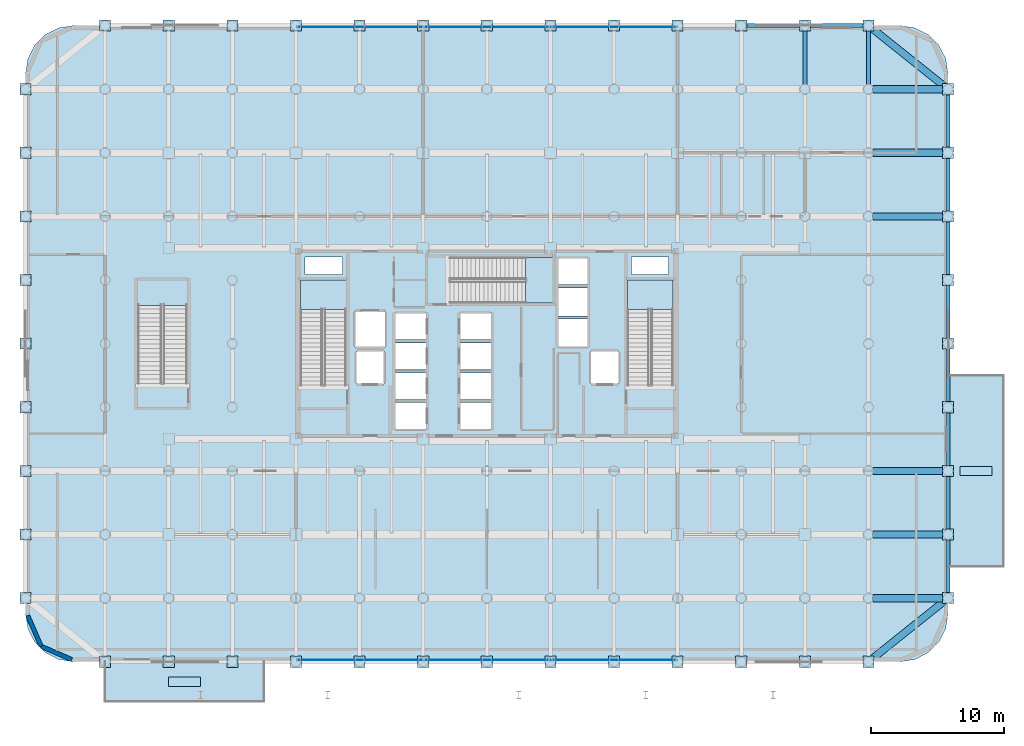
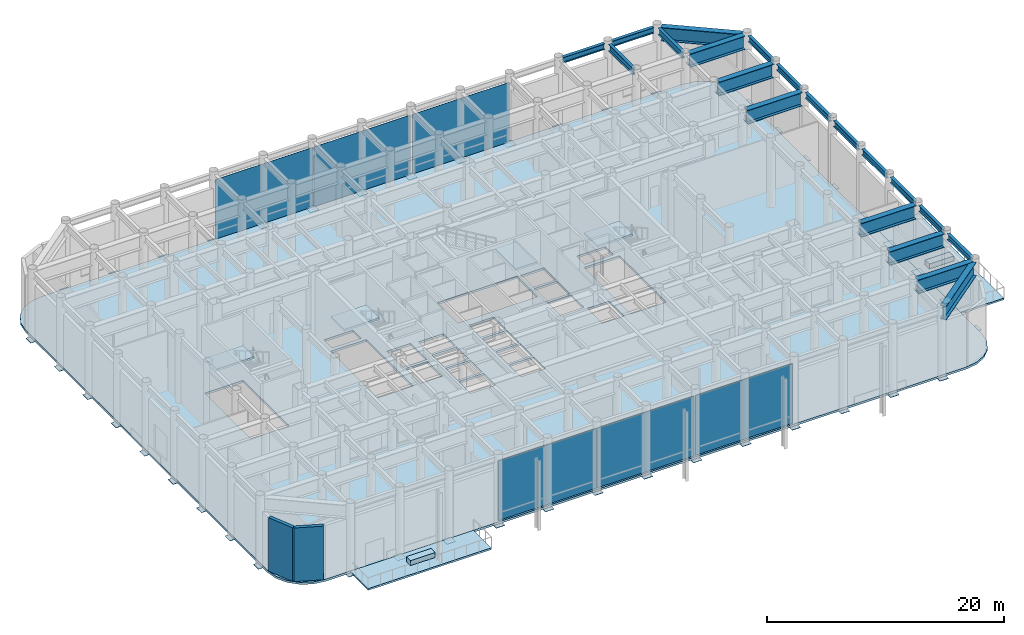
# One storey, part 13 of 23: 52 plates, 20 beams, 7 slabs, 2 walls, 10 elements without a shape of their own.
"""IFC4 building model written with IfcOpenShell, lengths in metres."""

from ifc_helpers import new_model, si_unit, direction, frame, frame_2d, origin, origin_2d, place, context, subcontext, project, spatial, polyline, rectangle, i_section, outline, extrude, material, layer, layer_set, material_profile, profile_set, type_object, element, aggregate, save


model = new_model("IFC4")

# Units and contexts
model_context = context("Model", 3, precision=1e-05, world=origin(), true_north=direction((0.0, 1.0)))
body_context = subcontext(model_context, "Body", "Model", "MODEL_VIEW")
ifc_project = project(units=[si_unit("LENGTHUNIT", "METRE"), si_unit("AREAUNIT", "SQUARE_METRE"), si_unit("VOLUMEUNIT", "CUBIC_METRE"), si_unit("PLANEANGLEUNIT", "RADIAN"), si_unit("MASSUNIT", "GRAM", prefix="KILO")], contexts=[model_context])

# Site, building, storey
site_placement = place(None, origin())
site = spatial("IfcSite", under=ifc_project, at=site_placement, CompositionType="ELEMENT")
building_placement = place(site_placement, origin())
building = spatial("IfcBuilding", under=site, at=building_placement, Name="Kallvorn Hotel Tower", CompositionType="ELEMENT")
storey_placement = place(building_placement, frame((0.0, 0.0, 12.0)))
storey = spatial("IfcBuildingStorey", under=building, at=storey_placement, Name="L02", CompositionType="ELEMENT", Elevation=12.0)

# Beams
ifc_material_1 = material(Name="Structural steel S355JR", Category="steel")
ifc_material_profile_1 = material_profile(ifc_material_1, i_section(OverallWidth=0.300048828125, OverallDepth=0.60009765625, WebThickness=0.015380859375, FlangeThickness=0.030029296875, at=origin_2d()), Name="HE 600 B")
ifc_profile_set_1 = profile_set([ifc_material_profile_1], Name="Structural steel S355JR")
beam_type_1 = type_object("IfcBeamType", Name="BM_HE600B", PredefinedType="SPANDREL", material=ifc_profile_set_1)
for number, where, z_axis, x_axis, name in (
    (1, (19.571044921875, 24.0, 6.6201171875), (1.0, 0.0, 0.0), (0.0, 1.0, 0.0), "L03 Perimeter Spandrel 190"),
    (2, (24.37109375, 24.0, 6.6201171875), (1.0, 0.0, 0.0), (0.0, 1.0, 0.0), "L03 Perimeter Spandrel 191"),
):
    element("IfcBeam", number, at=place(storey_placement, frame(where, z_axis=z_axis, x_axis=x_axis)), inside=storey, type_object=beam_type_1, Name=name, PredefinedType="SPANDREL", context=body_context, shape_type="SweptSolid", body=[
        extrude(i_section(OverallWidth=0.300048828125, OverallDepth=0.60009765625, WebThickness=0.015380859375, FlangeThickness=0.030029296875, at=origin_2d()), origin(), (0.0, 0.0, 1.0), 4.057861328125),
    ])
for number, where, z_axis, x_axis, name in (
    (3, (34.800048828125, -18.8291015625, 6.6201171875), (0.0, 1.0, 0.0), (-1.0, 0.0, 0.0), "L03 Perimeter Spandrel 200"),
    (4, (34.800048828125, -14.029052734375, 6.6201171875), (0.0, 1.0, 0.0), (-1.0, 0.0, 0.0), "L03 Perimeter Spandrel 201"),
    (5, (34.800048828125, -9.22900390625, 6.6201171875), (0.0, 1.0, 0.0), (-1.0, 0.0, 0.0), "L03 Perimeter Spandrel 202"),
):
    element("IfcBeam", number, at=place(storey_placement, frame(where, z_axis=z_axis, x_axis=x_axis)), inside=storey, type_object=beam_type_1, Name=name, PredefinedType="SPANDREL", context=body_context, shape_type="SweptSolid", body=[
        extrude(i_section(OverallWidth=0.300048828125, OverallDepth=0.60009765625, WebThickness=0.015380859375, FlangeThickness=0.030029296875, at=origin_2d()), origin(), (0.0, 0.0, 1.0), 4.05810546875),
    ])
for number, where, z_axis, x_axis, name in (
    (6, (34.800048828125, -4.428955078125, 6.6201171875), (0.0, 1.0, 0.0), (-1.0, 0.0, 0.0), "L03 Perimeter Spandrel 203"),
    (7, (34.800048828125, 0.37109375, 6.6201171875), (0.0, 1.0, 0.0), (-1.0, 0.0, 0.0), "L03 Perimeter Spandrel 204"),
):
    element("IfcBeam", number, at=place(storey_placement, frame(where, z_axis=z_axis, x_axis=x_axis)), inside=storey, type_object=beam_type_1, Name=name, PredefinedType="SPANDREL", context=body_context, shape_type="SweptSolid", body=[
        extrude(i_section(OverallWidth=0.300048828125, OverallDepth=0.60009765625, WebThickness=0.015380859375, FlangeThickness=0.030029296875, at=origin_2d()), origin(), (0.0, 0.0, 1.0), 4.057861328125),
    ])
for number, where, z_axis, x_axis, name in (
    (8, (34.800048828125, 5.1708984375, 6.6201171875), (0.0, 1.0, 0.0), (-1.0, 0.0, 0.0), "L03 Perimeter Spandrel 205"),
    (9, (34.800048828125, 9.970947265625, 6.6201171875), (0.0, 1.0, 0.0), (-1.0, 0.0, 0.0), "L03 Perimeter Spandrel 206"),
    (10, (34.800048828125, 14.77099609375, 6.6201171875), (0.0, 1.0, 0.0), (-1.0, 0.0, 0.0), "L03 Perimeter Spandrel 207"),
):
    element("IfcBeam", number, at=place(storey_placement, frame(where, z_axis=z_axis, x_axis=x_axis)), inside=storey, type_object=beam_type_1, Name=name, PredefinedType="SPANDREL", context=body_context, shape_type="SweptSolid", body=[
        extrude(i_section(OverallWidth=0.300048828125, OverallDepth=0.60009765625, WebThickness=0.015380859375, FlangeThickness=0.030029296875, at=origin_2d()), origin(), (0.0, 0.0, 1.0), 4.05810546875),
    ])
ifc_material_2 = material(Name="Structural steel S355JR", Category="steel")
ifc_material_profile_2 = material_profile(ifc_material_2, i_section(OverallWidth=0.300048828125, OverallDepth=0.699951171875, WebThickness=0.01708984375, FlangeThickness=0.031982421875, at=origin_2d()), Name="HE 700 B")
ifc_profile_set_2 = profile_set([ifc_material_profile_2], Name="Structural steel S355JR")
beam_type_2 = type_object("IfcBeamType", Name="BM_HE700B", PredefinedType="BEAM", material=ifc_profile_set_2)
for number, where, z_axis, x_axis, name in (
    (11, (24.0, 19.555908203125, 6.570068359375), (0.0, 1.0, 0.0), (-1.0, 0.0, 0.0), "L03 Primary Y-Girder 157"),
    (12, (28.800048828125, 19.555908203125, 6.570068359375), (0.0, 1.0, 0.0), (-1.0, 0.0, 0.0), "L03 Primary Y-Girder 167"),
):
    element("IfcBeam", number, at=place(storey_placement, frame(where, z_axis=z_axis, x_axis=x_axis)), inside=storey, type_object=beam_type_2, Name=name, PredefinedType="BEAM", context=body_context, shape_type="SweptSolid", body=[
        extrude(i_section(OverallWidth=0.300048828125, OverallDepth=0.699951171875, WebThickness=0.01708984375, FlangeThickness=0.031982421875, at=origin_2d()), origin(), (0.0, 0.0, 1.0), 4.088134765625),
    ])
ifc_material_3 = material(Name="Structural steel S355JR", Category="steel")
ifc_material_profile_3 = material_profile(ifc_material_3, i_section(OverallWidth=0.550048828125, OverallDepth=1.39990234375, WebThickness=0.02490234375, FlangeThickness=0.044921875, at=origin_2d()), Name="PG 1400x550x25x45")
ifc_profile_set_3 = profile_set([ifc_material_profile_3], Name="Structural steel S355JR")
beam_type_3 = type_object("IfcBeamType", Name="BM_PG_1400", PredefinedType="BEAM", material=ifc_profile_set_3)
for number, where, z_axis, x_axis, name in (
    (13, (29.156005859375, -19.199951171875, 6.219970703125), (1.0, 0.0, 0.0), (0.0, 1.0, 0.0), "L03 Primary X-Girder 15"),
    (14, (29.156005859375, -14.39990234375, 6.219970703125), (1.0, 0.0, 0.0), (0.0, 1.0, 0.0), "L03 Primary X-Girder 23"),
    (15, (29.156005859375, -9.60009765625, 6.219970703125), (1.0, 0.0, 0.0), (0.0, 1.0, 0.0), "L03 Primary X-Girder 33"),
    (16, (29.156005859375, 9.60009765625, 6.219970703125), (1.0, 0.0, 0.0), (0.0, 1.0, 0.0), "L03 Primary X-Girder 52"),
    (17, (29.156005859375, 14.39990234375, 6.219970703125), (1.0, 0.0, 0.0), (0.0, 1.0, 0.0), "L03 Primary X-Girder 63"),
    (18, (29.156005859375, 19.199951171875, 6.219970703125), (1.0, 0.0, 0.0), (0.0, 1.0, 0.0), "L03 Primary X-Girder 77"),
):
    element("IfcBeam", number, at=place(storey_placement, frame(where, z_axis=z_axis, x_axis=x_axis)), inside=storey, type_object=beam_type_3, Name=name, PredefinedType="BEAM", context=body_context, shape_type="SweptSolid", body=[
        extrude(i_section(OverallWidth=0.550048828125, OverallDepth=1.39990234375, WebThickness=0.02490234375, FlangeThickness=0.044921875, at=origin_2d()), origin(), (0.0, 0.0, 1.0), 5.2880859375),
    ])
for number, where, z_axis, x_axis, name in (
    (19, (34.51025390625, -19.431884765625, 6.219970703125), (-0.780875671801, -0.62468646951, 0.0), (0.62468646951, -0.780875671801, 0.0), "L03 Rounded Corner Tie Beam 210"),
    (20, (34.51025390625, 19.431884765625, 6.219970703125), (-0.780875671801, 0.62468646951, 0.0), (-0.62468646951, -0.780875671801, 0.0), "L03 Rounded Corner Tie Beam 211"),
):
    element("IfcBeam", number, at=place(storey_placement, frame(where, z_axis=z_axis, x_axis=x_axis)), inside=storey, type_object=beam_type_3, Name=name, PredefinedType="BEAM", context=body_context, shape_type="SweptSolid", body=[
        extrude(i_section(OverallWidth=0.550048828125, OverallDepth=1.39990234375, WebThickness=0.02490234375, FlangeThickness=0.044921875, at=origin_2d()), origin(), (0.0, 0.0, 1.0), 6.941650390625),
    ])

# Curtain wall, plate
ifc_material_4 = material(Name="Thermally broken black-anodised aluminium AA 6063-T6", Category="aluminium")
ifc_layer_1 = layer(ifc_material_4, 0.219970703125)
ifc_layer_set_1 = layer_set([ifc_layer_1], Name="CW_SYS_2_PODIUM_CASC")
curtain_wall_type = type_object("IfcCurtainWallType", Name="CW_SYS_2_PODIUM_CASC", PredefinedType="USERDEFINED", material=ifc_layer_set_1)
curtain_wall_1_placement = place(storey_placement, origin())
curtain_wall_1 = element("IfcCurtainWall", 21, at=curtain_wall_1_placement, inside=storey, type_object=curtain_wall_type, Name="L02 Dark-Glass Curtain Wall CW-L02-S1", ObjectType="UNITISED CURTAIN WALL", PredefinedType="USERDEFINED")
ifc_material_5 = material(Name="Double-glazed low-e solar-control dark glass", Category="glass")
ifc_layer_2 = layer(ifc_material_5, 0.03955078125)
ifc_layer_set_2 = layer_set([ifc_layer_2], Name="CW_SYS_2_PODIUM_CASC_PANEL")
plate_type_1 = type_object("IfcPlateType", Name="CW_SYS_2_PODIUM_CASC_PANEL", PredefinedType="CURTAIN_PANEL", material=ifc_layer_set_2)
plate_1_placement = place(storey_placement, frame((-9.550048828125, -23.8798828125, 0.06005859375), z_axis=(0.0, 0.0, 1.0), x_axis=(1.0, 0.0, 0.0)))
plate_1 = element("IfcPlate", 22, at=plate_1_placement, type_object=plate_type_1, Name="CW-L02-S1 Vision Glass Panel 00", PredefinedType="CURTAIN_PANEL", context=body_context, shape_type="SweptSolid", body=[
    extrude(rectangle(XDim=9.5400390625, YDim=0.03955078125, at=origin_2d()), origin(), (0.0, 0.0, 1.0), 6.14990234375),
])
aggregate(curtain_wall_1, [plate_1])

curtain_wall_2_placement = place(storey_placement, origin())
curtain_wall_2 = element("IfcCurtainWall", 23, at=curtain_wall_2_placement, inside=storey, type_object=curtain_wall_type, Name="L02 Dark-Glass Curtain Wall CW-L02-N1", ObjectType="UNITISED CURTAIN WALL", PredefinedType="USERDEFINED")
plate_2_placement = place(storey_placement, frame((-9.550048828125, 23.8798828125, 0.06005859375), z_axis=(0.0, 0.0, 1.0), x_axis=(1.0, 0.0, 0.0)))
plate_2 = element("IfcPlate", 24, at=plate_2_placement, type_object=plate_type_1, Name="CW-L02-N1 Vision Glass Panel 00", PredefinedType="CURTAIN_PANEL", context=body_context, shape_type="SweptSolid", body=[
    extrude(rectangle(XDim=9.5400390625, YDim=0.03955078125, at=origin_2d()), origin(), (0.0, 0.0, 1.0), 6.14990234375),
])
aggregate(curtain_wall_2, [plate_2])

curtain_wall_3_placement = place(storey_placement, origin())
curtain_wall_3 = element("IfcCurtainWall", 25, at=curtain_wall_3_placement, inside=storey, type_object=curtain_wall_type, Name="L02 Dark-Glass Curtain Wall CW-L02-S2", ObjectType="UNITISED CURTAIN WALL", PredefinedType="USERDEFINED")
plate_3_placement = place(storey_placement, frame((0.0, -23.8798828125, 0.06005859375), z_axis=(0.0, 0.0, 1.0), x_axis=(1.0, 0.0, 0.0)))
plate_3 = element("IfcPlate", 26, at=plate_3_placement, type_object=plate_type_1, Name="CW-L02-S2 Vision Glass Panel 00", PredefinedType="CURTAIN_PANEL", context=body_context, shape_type="SweptSolid", body=[
    extrude(rectangle(XDim=9.43994140625, YDim=0.03955078125, at=origin_2d()), origin(), (0.0, 0.0, 1.0), 6.14990234375),
])
aggregate(curtain_wall_3, [plate_3])

curtain_wall_4_placement = place(storey_placement, origin())
curtain_wall_4 = element("IfcCurtainWall", 27, at=curtain_wall_4_placement, inside=storey, type_object=curtain_wall_type, Name="L02 Dark-Glass Curtain Wall CW-L02-N2", ObjectType="UNITISED CURTAIN WALL", PredefinedType="USERDEFINED")
plate_4_placement = place(storey_placement, frame((0.0, 23.8798828125, 0.06005859375), z_axis=(0.0, 0.0, 1.0), x_axis=(1.0, 0.0, 0.0)))
plate_4 = element("IfcPlate", 28, at=plate_4_placement, type_object=plate_type_1, Name="CW-L02-N2 Vision Glass Panel 00", PredefinedType="CURTAIN_PANEL", context=body_context, shape_type="SweptSolid", body=[
    extrude(rectangle(XDim=9.43994140625, YDim=0.03955078125, at=origin_2d()), origin(), (0.0, 0.0, 1.0), 6.14990234375),
])
aggregate(curtain_wall_4, [plate_4])

curtain_wall_5_placement = place(storey_placement, origin())
curtain_wall_5 = element("IfcCurtainWall", 29, at=curtain_wall_5_placement, inside=storey, type_object=curtain_wall_type, Name="L02 Dark-Glass Curtain Wall CW-L02-S3", ObjectType="UNITISED CURTAIN WALL", PredefinedType="USERDEFINED")
plate_5_placement = place(storey_placement, frame((9.60009765625, -23.8798828125, 0.06005859375), z_axis=(0.0, 0.0, 1.0), x_axis=(1.0, 0.0, 0.0)))
plate_5 = element("IfcPlate", 30, at=plate_5_placement, type_object=plate_type_1, Name="CW-L02-S3 Vision Glass Panel 00", PredefinedType="CURTAIN_PANEL", context=body_context, shape_type="SweptSolid", body=[
    extrude(rectangle(XDim=9.43994140625, YDim=0.03955078125, at=origin_2d()), origin(), (0.0, 0.0, 1.0), 6.14990234375),
])
aggregate(curtain_wall_5, [plate_5])

curtain_wall_6_placement = place(storey_placement, origin())
curtain_wall_6 = element("IfcCurtainWall", 31, at=curtain_wall_6_placement, inside=storey, type_object=curtain_wall_type, Name="L02 Dark-Glass Curtain Wall CW-L02-N3", ObjectType="UNITISED CURTAIN WALL", PredefinedType="USERDEFINED")
plate_6_placement = place(storey_placement, frame((9.60009765625, 23.8798828125, 0.06005859375), z_axis=(0.0, 0.0, 1.0), x_axis=(1.0, 0.0, 0.0)))
plate_6 = element("IfcPlate", 32, at=plate_6_placement, type_object=plate_type_1, Name="CW-L02-N3 Vision Glass Panel 00", PredefinedType="CURTAIN_PANEL", context=body_context, shape_type="SweptSolid", body=[
    extrude(rectangle(XDim=9.43994140625, YDim=0.03955078125, at=origin_2d()), origin(), (0.0, 0.0, 1.0), 6.14990234375),
])
aggregate(curtain_wall_6, [plate_6])

# Plates
ifc_material_6 = material(Name="Structural steel S355JR", Category="steel")
ifc_layer_3 = layer(ifc_material_6, 0.030029296875)
ifc_layer_set_3 = layer_set([ifc_layer_3], Name="PLT_CAP_30")
plate_type_2 = type_object("IfcPlateType", Name="PLT_CAP_30", PredefinedType="SHEET", material=ifc_layer_set_3)
for number, where, z_axis, x_axis, name in (
    (33, (-34.800048828125, -19.199951171875, -0.25), (0.0, 0.0, 1.0), (1.0, 0.0, 0.0), "L02 Hollow Column Base End Cap Plate 0051"),
    (34, (-34.800048828125, -14.39990234375, -0.25), (0.0, 0.0, 1.0), (1.0, 0.0, 0.0), "L02 Hollow Column Base End Cap Plate 0052"),
    (35, (-34.800048828125, -9.60009765625, -0.25), (0.0, 0.0, 1.0), (1.0, 0.0, 0.0), "L02 Hollow Column Base End Cap Plate 0053"),
    (36, (-34.800048828125, -4.800048828125, -0.25), (0.0, 0.0, 1.0), (1.0, 0.0, 0.0), "L02 Hollow Column Base End Cap Plate 0054"),
    (37, (-34.800048828125, 0.0, -0.25), (0.0, 0.0, 1.0), (1.0, 0.0, 0.0), "L02 Hollow Column Base End Cap Plate 0055"),
    (38, (-34.800048828125, 4.800048828125, -0.25), (0.0, 0.0, 1.0), (1.0, 0.0, 0.0), "L02 Hollow Column Base End Cap Plate 0056"),
    (39, (-34.800048828125, 9.60009765625, -0.25), (0.0, 0.0, 1.0), (1.0, 0.0, 0.0), "L02 Hollow Column Base End Cap Plate 0057"),
    (40, (-34.800048828125, 14.39990234375, -0.25), (0.0, 0.0, 1.0), (1.0, 0.0, 0.0), "L02 Hollow Column Base End Cap Plate 0058"),
    (41, (-34.800048828125, 19.199951171875, -0.25), (0.0, 0.0, 1.0), (1.0, 0.0, 0.0), "L02 Hollow Column Base End Cap Plate 0059"),
    (42, (-28.800048828125, -24.0, -0.25), (0.0, 0.0, 1.0), (1.0, 0.0, 0.0), "L02 Hollow Column Base End Cap Plate 0060"),
    (43, (-28.800048828125, 24.0, -0.25), (0.0, 0.0, 1.0), (1.0, 0.0, 0.0), "L02 Hollow Column Base End Cap Plate 0061"),
    (44, (-24.0, -24.0, -0.25), (0.0, 0.0, 1.0), (1.0, 0.0, 0.0), "L02 Hollow Column Base End Cap Plate 0062"),
    (45, (-24.0, 24.0, -0.25), (0.0, 0.0, 1.0), (1.0, 0.0, 0.0), "L02 Hollow Column Base End Cap Plate 0063"),
    (46, (-19.199951171875, -24.0, -0.25), (0.0, 0.0, 1.0), (1.0, 0.0, 0.0), "L02 Hollow Column Base End Cap Plate 0064"),
    (47, (-19.199951171875, 24.0, -0.25), (0.0, 0.0, 1.0), (1.0, 0.0, 0.0), "L02 Hollow Column Base End Cap Plate 0065"),
    (48, (-14.39990234375, -24.0, -0.25), (0.0, 0.0, 1.0), (1.0, 0.0, 0.0), "L02 Hollow Column Base End Cap Plate 0066"),
    (49, (-14.39990234375, 24.0, -0.25), (0.0, 0.0, 1.0), (1.0, 0.0, 0.0), "L02 Hollow Column Base End Cap Plate 0067"),
    (50, (-9.60009765625, -24.0, -0.25), (0.0, 0.0, 1.0), (1.0, 0.0, 0.0), "L02 Hollow Column Base End Cap Plate 0068"),
    (51, (-9.60009765625, 24.0, -0.25), (0.0, 0.0, 1.0), (1.0, 0.0, 0.0), "L02 Hollow Column Base End Cap Plate 0069"),
    (52, (-4.800048828125, -24.0, -0.25), (0.0, 0.0, 1.0), (1.0, 0.0, 0.0), "L02 Hollow Column Base End Cap Plate 0070"),
    (53, (-4.800048828125, 24.0, -0.25), (0.0, 0.0, 1.0), (1.0, 0.0, 0.0), "L02 Hollow Column Base End Cap Plate 0071"),
    (54, (0.0, -24.0, -0.25), (0.0, 0.0, 1.0), (1.0, 0.0, 0.0), "L02 Hollow Column Base End Cap Plate 0072"),
    (55, (0.0, 24.0, -0.25), (0.0, 0.0, 1.0), (1.0, 0.0, 0.0), "L02 Hollow Column Base End Cap Plate 0073"),
    (56, (4.800048828125, -24.0, -0.25), (0.0, 0.0, 1.0), (1.0, 0.0, 0.0), "L02 Hollow Column Base End Cap Plate 0074"),
    (57, (4.800048828125, 24.0, -0.25), (0.0, 0.0, 1.0), (1.0, 0.0, 0.0), "L02 Hollow Column Base End Cap Plate 0075"),
    (58, (9.60009765625, -24.0, -0.25), (0.0, 0.0, 1.0), (1.0, 0.0, 0.0), "L02 Hollow Column Base End Cap Plate 0076"),
    (59, (9.60009765625, 24.0, -0.25), (0.0, 0.0, 1.0), (1.0, 0.0, 0.0), "L02 Hollow Column Base End Cap Plate 0077"),
    (60, (14.39990234375, -24.0, -0.25), (0.0, 0.0, 1.0), (1.0, 0.0, 0.0), "L02 Hollow Column Base End Cap Plate 0078"),
    (61, (14.39990234375, 24.0, -0.25), (0.0, 0.0, 1.0), (1.0, 0.0, 0.0), "L02 Hollow Column Base End Cap Plate 0079"),
    (62, (19.199951171875, -24.0, -0.25), (0.0, 0.0, 1.0), (1.0, 0.0, 0.0), "L02 Hollow Column Base End Cap Plate 0080"),
    (63, (19.199951171875, 24.0, -0.25), (0.0, 0.0, 1.0), (1.0, 0.0, 0.0), "L02 Hollow Column Base End Cap Plate 0081"),
    (64, (24.0, -24.0, -0.25), (0.0, 0.0, 1.0), (1.0, 0.0, 0.0), "L02 Hollow Column Base End Cap Plate 0082"),
    (65, (24.0, 24.0, -0.25), (0.0, 0.0, 1.0), (1.0, 0.0, 0.0), "L02 Hollow Column Base End Cap Plate 0083"),
    (66, (28.800048828125, -24.0, -0.25), (0.0, 0.0, 1.0), (1.0, 0.0, 0.0), "L02 Hollow Column Base End Cap Plate 0084"),
    (67, (28.800048828125, 24.0, -0.25), (0.0, 0.0, 1.0), (1.0, 0.0, 0.0), "L02 Hollow Column Base End Cap Plate 0085"),
    (68, (34.800048828125, -19.199951171875, -0.25), (0.0, 0.0, 1.0), (1.0, 0.0, 0.0), "L02 Hollow Column Base End Cap Plate 0086"),
    (69, (34.800048828125, -14.39990234375, -0.25), (0.0, 0.0, 1.0), (1.0, 0.0, 0.0), "L02 Hollow Column Base End Cap Plate 0087"),
    (70, (34.800048828125, -9.60009765625, -0.25), (0.0, 0.0, 1.0), (1.0, 0.0, 0.0), "L02 Hollow Column Base End Cap Plate 0088"),
    (71, (34.800048828125, -4.800048828125, -0.25), (0.0, 0.0, 1.0), (1.0, 0.0, 0.0), "L02 Hollow Column Base End Cap Plate 0089"),
    (72, (34.800048828125, 0.0, -0.25), (0.0, 0.0, 1.0), (1.0, 0.0, 0.0), "L02 Hollow Column Base End Cap Plate 0090"),
    (73, (34.800048828125, 4.800048828125, -0.25), (0.0, 0.0, 1.0), (1.0, 0.0, 0.0), "L02 Hollow Column Base End Cap Plate 0091"),
    (74, (34.800048828125, 9.60009765625, -0.25), (0.0, 0.0, 1.0), (1.0, 0.0, 0.0), "L02 Hollow Column Base End Cap Plate 0092"),
    (75, (34.800048828125, 14.39990234375, -0.25), (0.0, 0.0, 1.0), (1.0, 0.0, 0.0), "L02 Hollow Column Base End Cap Plate 0093"),
    (76, (34.800048828125, 19.199951171875, -0.25), (0.0, 0.0, 1.0), (1.0, 0.0, 0.0), "L02 Hollow Column Base End Cap Plate 0094"),
):
    element("IfcPlate", number, at=place(storey_placement, frame(where, z_axis=z_axis, x_axis=x_axis)), inside=storey, type_object=plate_type_2, Name=name, PredefinedType="SHEET", context=body_context, shape_type="SweptSolid", body=[
        extrude(rectangle(XDim=0.842041015625, YDim=0.842041015625, at=origin_2d()), origin(), (0.0, 0.0, 1.0), 0.030029296875),
    ])
ifc_material_7 = material(Name="Powder-coated marine-grade aluminium planter trough", Category="aluminium")
ifc_layer_4 = layer(ifc_material_7, 0.0400390625)
ifc_layer_set_4 = layer_set([ifc_layer_4], Name="PLT_PLANTER_TROUGH")
plate_type_3 = type_object("IfcPlateType", Name="PLT_PLANTER_TROUGH", PredefinedType="USERDEFINED", material=ifc_layer_set_4)
for number, where, z_axis, x_axis, name in (
    (77, (-22.800048828125, -25.5, 0.0), (0.0, 0.0, 1.0), (1.0, 0.0, 0.0), "TER-L02-S Planted Terrace Trough"),
    (78, (36.89990234375, -9.60009765625, 0.0), (0.0, 0.0, 1.0), (1.0, 0.0, 0.0), "TER-L02-E Planted Terrace Trough"),
):
    element("IfcPlate", number, at=place(storey_placement, frame(where, z_axis=z_axis, x_axis=x_axis)), inside=storey, type_object=plate_type_3, Name=name, ObjectType="FACADE PLANTER TROUGH", PredefinedType="USERDEFINED", context=body_context, shape_type="SweptSolid", body=[
        extrude(rectangle(XDim=2.39990234375, YDim=0.699951171875, at=origin_2d()), origin(), (0.0, 0.0, 1.0), 0.5),
    ])

# Slab
ifc_material_8 = material(Name="Concrete C40/50", Category="concrete")
ifc_layer_5 = layer(ifc_material_8, 0.219970703125)
ifc_layer_set_5 = layer_set([ifc_layer_5], Name="SLB_CASCADE_220")
slab_type_1 = type_object("IfcSlabType", Name="SLB_CASCADE_220", PredefinedType="FLOOR", material=ifc_layer_set_5)
slab_1_placement = place(storey_placement, frame((0.0, 0.0, -0.219970703125)))
element("IfcSlab", 79, at=slab_1_placement, inside=storey, type_object=slab_type_1, Name="L02 Structural Floor Slab", PredefinedType="FLOOR", context=body_context, shape_type="SweptSolid", body=[
    extrude(outline(polyline([(31.199951171875, -24.0), (32.3125, -23.82373046875), (33.31591796875, -23.3125), (34.112548828125, -22.51611328125), (34.623779296875, -21.512451171875), (34.800048828125, -20.39990234375), (34.800048828125, 20.39990234375), (34.623779296875, 21.512451171875), (34.112548828125, 22.51611328125), (33.31591796875, 23.3125), (32.3125, 23.82373046875), (31.199951171875, 24.0), (-31.199951171875, 24.0), (-32.3125, 23.82373046875), (-33.31591796875, 23.3125), (-34.112548828125, 22.51611328125), (-34.623779296875, 21.512451171875), (-34.800048828125, 20.39990234375), (-34.800048828125, -20.39990234375), (-34.623779296875, -21.512451171875), (-34.112548828125, -22.51611328125), (-33.31591796875, -23.3125), (-32.3125, -23.82373046875), (-31.199951171875, -24.0), (31.199951171875, -24.0)]), holes=[polyline([(-10.60009765625, -3.070068359375), (-10.60009765625, 4.800048828125), (-14.06005859375, 4.800048828125), (-14.06005859375, -3.070068359375), (-10.60009765625, -3.070068359375)]), polyline([(14.06005859375, -3.070068359375), (14.06005859375, 4.800048828125), (10.60009765625, 4.800048828125), (10.60009765625, -3.070068359375), (14.06005859375, -3.070068359375)]), polyline([(-2.719970703125, 3.050048828125), (5.050048828125, 3.050048828125), (5.050048828125, 6.510009765625), (-2.719970703125, 6.510009765625), (-2.719970703125, 3.050048828125)]), polyline([(-22.60009765625, -2.929931640625), (-22.60009765625, 4.800048828125), (-26.340087890625, 4.800048828125), (-26.340087890625, -2.929931640625), (-22.60009765625, -2.929931640625)]), polyline([(-6.949951171875, -6.449951171875), (-4.550048828125, -6.449951171875), (-4.550048828125, -4.449951171875), (-6.949951171875, -4.449951171875), (-6.949951171875, -6.449951171875)]), polyline([(-6.949951171875, -4.199951171875), (-4.550048828125, -4.199951171875), (-4.550048828125, -2.199951171875), (-6.949951171875, -2.199951171875), (-6.949951171875, -4.199951171875)]), polyline([(-6.949951171875, -1.949951171875), (-4.550048828125, -1.949951171875), (-4.550048828125, 0.050048828125), (-6.949951171875, 0.050048828125), (-6.949951171875, -1.949951171875)]), polyline([(-6.949951171875, 0.300048828125), (-4.550048828125, 0.300048828125), (-4.550048828125, 2.300048828125), (-6.949951171875, 2.300048828125), (-6.949951171875, 0.300048828125)]), polyline([(-2.050048828125, -6.449951171875), (0.35009765625, -6.449951171875), (0.35009765625, -4.449951171875), (-2.050048828125, -4.449951171875), (-2.050048828125, -6.449951171875)]), polyline([(-2.050048828125, -4.199951171875), (0.35009765625, -4.199951171875), (0.35009765625, -2.199951171875), (-2.050048828125, -2.199951171875), (-2.050048828125, -4.199951171875)]), polyline([(-2.050048828125, -1.949951171875), (0.35009765625, -1.949951171875), (0.35009765625, 0.050048828125), (-2.050048828125, 0.050048828125), (-2.050048828125, -1.949951171875)]), polyline([(-2.050048828125, 0.300048828125), (0.35009765625, 0.300048828125), (0.35009765625, 2.300048828125), (-2.050048828125, 2.300048828125), (-2.050048828125, 0.300048828125)]), polyline([(5.35009765625, -0.25), (7.64990234375, -0.25), (7.64990234375, 1.85009765625), (5.35009765625, 1.85009765625), (5.35009765625, -0.25)]), polyline([(5.35009765625, 2.10009765625), (7.64990234375, 2.10009765625), (7.64990234375, 4.199951171875), (5.35009765625, 4.199951171875), (5.35009765625, 2.10009765625)]), polyline([(5.35009765625, 4.449951171875), (7.64990234375, 4.449951171875), (7.64990234375, 6.449951171875), (5.35009765625, 6.449951171875), (5.35009765625, 4.449951171875)]), polyline([(-9.85009765625, -3.050048828125), (-7.75, -3.050048828125), (-7.75, -0.550048828125), (-9.85009765625, -0.550048828125), (-9.85009765625, -3.050048828125)]), polyline([(7.85009765625, -3.050048828125), (9.949951171875, -3.050048828125), (9.949951171875, -0.550048828125), (7.85009765625, -0.550048828125), (7.85009765625, -3.050048828125)]), polyline([(-9.949951171875, -0.25), (-7.64990234375, -0.25), (-7.64990234375, 2.449951171875), (-9.949951171875, 2.449951171875), (-9.949951171875, -0.25)]), polyline([(-13.699951171875, 5.199951171875), (-10.89990234375, 5.199951171875), (-10.89990234375, 6.550048828125), (-13.699951171875, 6.550048828125), (-13.699951171875, 5.199951171875)]), polyline([(10.89990234375, 5.199951171875), (13.699951171875, 5.199951171875), (13.699951171875, 6.550048828125), (10.89990234375, 6.550048828125), (10.89990234375, 5.199951171875)])]), origin(), (0.0, 0.0, 1.0), 0.219970703125),
])

# Stair, slab
ifc_material_9 = material(Name="Precast concrete C40/50", Category="concrete")
stair_type_1 = type_object("IfcStairType", Name="STR_CORE_DOGLEG", PredefinedType="HALF_TURN_STAIR", material=ifc_material_9)
stair_1_placement = place(storey_placement, origin())
stair_1 = element("IfcStair", 80, at=stair_1_placement, inside=storey, type_object=stair_type_1, Name="L02 Exit stair ST1", PredefinedType="HALF_TURN_STAIR")
ifc_material_10 = material(Name="Precast concrete C40/50", Category="concrete")
ifc_layer_6 = layer(ifc_material_10, 0.179931640625)
ifc_layer_set_6 = layer_set([ifc_layer_6], Name="SLB_LANDING_180")
slab_type_2 = type_object("IfcSlabType", Name="SLB_LANDING_180", PredefinedType="LANDING", material=ifc_layer_set_6)
slab_2_placement = place(storey_placement, frame((0.0, 0.0, 3.39990234375)))
slab_2 = element("IfcSlab", 81, at=slab_2_placement, type_object=slab_type_2, Name="ST1 landing 1", PredefinedType="LANDING", context=body_context, shape_type="SweptSolid", body=[
    extrude(outline(polyline([(-10.60009765625, 2.570068359375), (-10.60009765625, 4.800048828125), (-14.06005859375, 4.800048828125), (-14.06005859375, 2.570068359375), (-10.60009765625, 2.570068359375)])), origin(), (0.0, 0.0, 1.0), 0.2001953125),
])
aggregate(stair_1, [slab_2])

stair_2_placement = place(storey_placement, origin())
stair_2 = element("IfcStair", 82, at=stair_2_placement, inside=storey, type_object=stair_type_1, Name="L02 Exit stair ST2", PredefinedType="HALF_TURN_STAIR")
slab_3_placement = place(storey_placement, frame((0.0, 0.0, 3.39990234375)))
slab_3 = element("IfcSlab", 83, at=slab_3_placement, type_object=slab_type_2, Name="ST2 landing 1", PredefinedType="LANDING", context=body_context, shape_type="SweptSolid", body=[
    extrude(outline(polyline([(14.06005859375, 2.570068359375), (14.06005859375, 4.800048828125), (10.60009765625, 4.800048828125), (10.60009765625, 2.570068359375), (14.06005859375, 2.570068359375)])), origin(), (0.0, 0.0, 1.0), 0.2001953125),
])
aggregate(stair_2, [slab_3])

stair_3_placement = place(storey_placement, origin())
stair_3 = element("IfcStair", 84, at=stair_3_placement, inside=storey, type_object=stair_type_1, Name="L02 Exit stair ST3", PredefinedType="HALF_TURN_STAIR")
slab_4_placement = place(storey_placement, frame((0.0, 0.0, 3.39990234375)))
slab_4 = element("IfcSlab", 85, at=slab_4_placement, type_object=slab_type_2, Name="ST3 landing 1", PredefinedType="LANDING", context=body_context, shape_type="SweptSolid", body=[
    extrude(outline(polyline([(2.919921875, 3.050048828125), (5.050048828125, 3.050048828125), (5.050048828125, 6.510009765625), (2.919921875, 6.510009765625), (2.919921875, 3.050048828125)])), origin(), (0.0, 0.0, 1.0), 0.2001953125),
])
aggregate(stair_3, [slab_4])

ifc_material_11 = material(Name="Precast concrete C40/50", Category="concrete")
stair_type_2 = type_object("IfcStairType", Name="STR_POD_DOGLEG", PredefinedType="HALF_TURN_STAIR", material=ifc_material_11)
stair_4_placement = place(storey_placement, origin())
stair_4 = element("IfcStair", 86, at=stair_4_placement, inside=storey, type_object=stair_type_2, Name="L02 Exit stair ST4", PredefinedType="HALF_TURN_STAIR")
slab_5_placement = place(storey_placement, frame((0.0, 0.0, 3.39990234375)))
slab_5 = element("IfcSlab", 87, at=slab_5_placement, type_object=slab_type_2, Name="ST4 landing 1", PredefinedType="LANDING", context=body_context, shape_type="SweptSolid", body=[
    extrude(outline(polyline([(-22.60009765625, 2.889892578125), (-22.60009765625, 4.800048828125), (-26.340087890625, 4.800048828125), (-26.340087890625, 2.889892578125), (-22.60009765625, 2.889892578125)])), origin(), (0.0, 0.0, 1.0), 0.2001953125),
])
aggregate(stair_4, [slab_5])

# Slabs
ifc_material_12 = material(Name="Concrete C40/50", Category="concrete")
ifc_layer_7 = layer(ifc_material_12, 0.179931640625)
ifc_layer_set_7 = layer_set([ifc_layer_7], Name="SLB_TERRACE_180")
slab_type_3 = type_object("IfcSlabType", Name="SLB_TERRACE_180", PredefinedType="ROOF", material=ifc_layer_set_7)
slab_6_placement = place(storey_placement, frame((0.0, 0.0, -0.179931640625)))
element("IfcSlab", 88, at=slab_6_placement, inside=storey, type_object=slab_type_3, Name="L02 Cascading Garden Terrace TER-L02-S", PredefinedType="ROOF", context=body_context, shape_type="SweptSolid", body=[
    extrude(outline(polyline([(-28.800048828125, -27.0), (-16.800048828125, -27.0), (-16.800048828125, -24.0), (-28.800048828125, -24.0), (-28.800048828125, -27.0)])), origin(), (0.0, 0.0, 1.0), 0.179931640625),
])
slab_7_placement = place(storey_placement, frame((0.0, 0.0, -0.179931640625)))
element("IfcSlab", 89, at=slab_7_placement, inside=storey, type_object=slab_type_3, Name="L02 Cascading Garden Terrace TER-L02-E", PredefinedType="ROOF", context=body_context, shape_type="SweptSolid", body=[
    extrude(outline(polyline([(34.800048828125, -16.800048828125), (39.0, -16.800048828125), (39.0, -2.39990234375), (34.800048828125, -2.39990234375), (34.800048828125, -16.800048828125)])), origin(), (0.0, 0.0, 1.0), 0.179931640625),
])

# Walls
ifc_material_13 = material(Name="Precast basalt-clad insulated concrete wall C40/50", Category="masonry")
ifc_layer_8 = layer(ifc_material_13, 0.320068359375)
ifc_layer_set_8 = layer_set([ifc_layer_8], Name="WL_EXT_BAY_320")
wall_type = type_object("IfcWallType", Name="WL_EXT_BAY_320", PredefinedType="SOLIDWALL", material=ifc_layer_set_8)
wall_1_placement = place(storey_placement, frame((-34.637939453125, -20.52001953125, 0.0), z_axis=(0.0, 0.0, 1.0), x_axis=(0.398786293654, -0.917043887714, 0.0)))
element("IfcWall", 90, at=wall_1_placement, inside=storey, type_object=wall_type, Name="L02 Rounded Corner Exterior Wall SW1", PredefinedType="SOLIDWALL", context=body_context, shape_type="SweptSolid", body=[
    extrude(rectangle(XDim=2.521728515625, YDim=0.320068359375, at=frame_2d((1.2607421875, 0.0))), origin(), (0.0, 0.0, 1.0), 5.52001953125),
])
wall_2_placement = place(storey_placement, frame((-33.63232421875, -22.83251953125, 0.0), z_axis=(0.0, 0.0, 1.0), x_axis=(0.917063898521, -0.3987402739, 0.0)))
element("IfcWall", 91, at=wall_2_placement, inside=storey, type_object=wall_type, Name="L02 Rounded Corner Exterior Wall SW2", PredefinedType="SOLIDWALL", context=body_context, shape_type="SweptSolid", body=[
    extrude(rectangle(XDim=2.521484375, YDim=0.320068359375, at=frame_2d((1.2607421875, 0.0))), origin(), (0.0, 0.0, 1.0), 5.52001953125),
])

save(model, "model.ifc")
